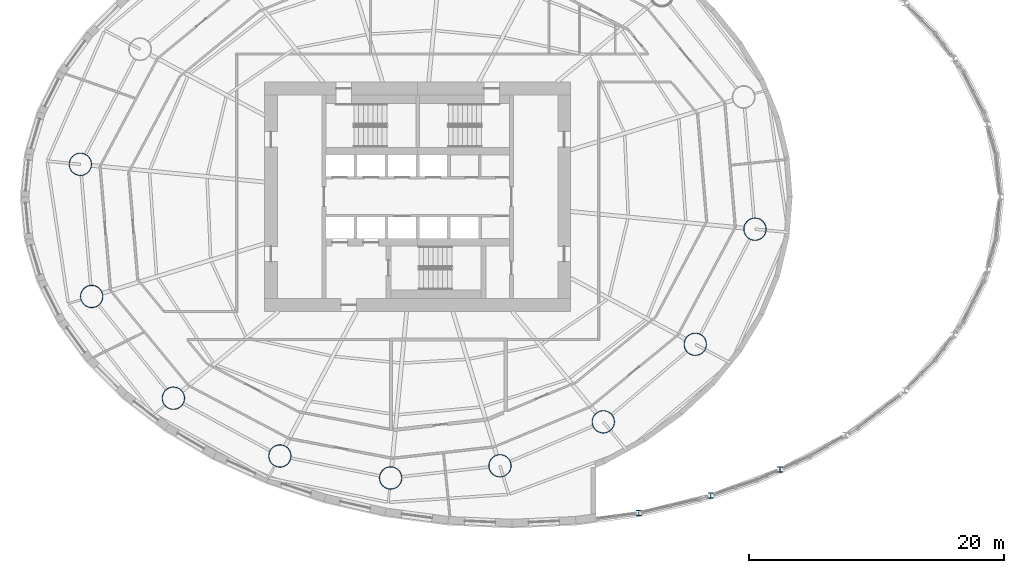
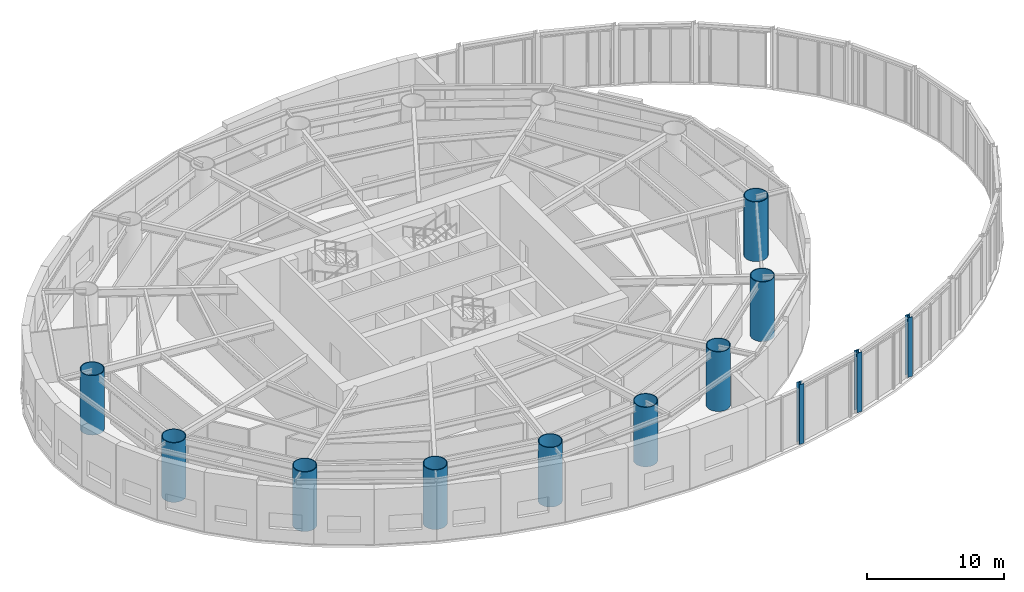
# One storey, part 1 of 19: 12 columns.
"""IFC4 building model written with IfcOpenShell, lengths in metres."""

import ifcopenshell
import ifcopenshell.guid

model = None  # the IFC model being written
_history = None  # IfcOwnerHistory: only IFC2X3 demands one
_inside = {}  # id of a spatial element -> (the spatial element, [elements in it])
_under = {}  # id of a project, library or spatial element -> (it, [spatial elements below it])
_declared = {}  # id of a project -> (the project, [libraries it declares])
_typed = {}  # id of a type object -> (the type object, [elements of that type])
_made_of = {}  # id of a material, layer set ... -> (it, [elements and type objects made of it])


def new_model(schema):
    """Start an empty IFC model of exactly this schema.

    Asked for "IFC4X3", IfcOpenShell would pick the latest addendum, in which some entities
    have other attributes; the version numbers below select the first issue.
    IFC2X3 requires an IfcOwnerHistory on every rooted entity: one is made here for all.
    """
    global model, _history
    if schema == "IFC4X3":
        model = ifcopenshell.file(schema_version=(4, 3, 0, 0))
    else:
        model = ifcopenshell.file(schema=schema)
    _inside.clear()
    _under.clear()
    _declared.clear()
    _typed.clear()
    _made_of.clear()
    _history = None
    if model.schema == "IFC2X3":
        org = make("IfcOrganization", Name="unknown")
        user = make(
            "IfcPersonAndOrganization",
            ThePerson=make("IfcPerson", FamilyName="unknown"),
            TheOrganization=org,
        )
        app = make(
            "IfcApplication",
            ApplicationDeveloper=org,
            Version="unknown",
            ApplicationFullName="unknown",
            ApplicationIdentifier="unknown",
        )
        _history = make(
            "IfcOwnerHistory",
            OwningUser=user,
            OwningApplication=app,
            ChangeAction="ADDED",
            CreationDate=0,
        )
    return model


def make(cls, **values):
    """One entity of the class cls with the attributes given. An attribute that is None is left unset."""
    return model.create_entity(
        cls, **{name: value for name, value in values.items() if value is not None}
    )


def rooted(cls, **values):
    """An entity with a GlobalId (a new one), such as an element, a storey or a relation."""
    return make(cls, GlobalId=ifcopenshell.guid.new(), OwnerHistory=_history, **values)


def si_unit(unit_type, name, prefix=None):
    """IfcSIUnit, for example si_unit("LENGTHUNIT", "METRE", prefix="MILLI")."""
    return make("IfcSIUnit", UnitType=unit_type, Prefix=prefix, Name=name)


def assignment(units):
    """IfcUnitAssignment: the units of a project."""
    return None if units is None else make("IfcUnitAssignment", Units=units)


def point(xyz):
    """IfcCartesianPoint."""
    return None if xyz is None else make("IfcCartesianPoint", Coordinates=xyz)


def direction(xyz):
    """IfcDirection."""
    return None if xyz is None else make("IfcDirection", DirectionRatios=xyz)


def frame(location, z_axis=None, x_axis=None):
    """IfcAxis2Placement3D, a coordinate frame: its origin and axes. An axis left out is left unset."""
    return make(
        "IfcAxis2Placement3D",
        Location=point(location),
        Axis=direction(z_axis),
        RefDirection=direction(x_axis),
    )


def frame_2d(location, x_axis=None):
    """IfcAxis2Placement2D, a coordinate frame in the plane: its origin and x axis."""
    return make(
        "IfcAxis2Placement2D", Location=point(location), RefDirection=direction(x_axis)
    )


def origin():
    """The frame at (0, 0, 0) with its axes left unset."""
    return frame((0.0, 0.0, 0.0))


def origin_2d():
    """The frame at (0, 0) in the plane with its x axis left unset."""
    return frame_2d((0.0, 0.0))


def place(relative_to, where):
    """IfcLocalPlacement: puts the frame where relative to a parent placement (None: the world)."""
    return make(
        "IfcLocalPlacement", PlacementRelTo=relative_to, RelativePlacement=where
    )


def context(
    kind, dimensions, precision=None, world=None, true_north=None, identifier=None
):
    """IfcGeometricRepresentationContext, for example the 3D "Model" context."""
    return make(
        "IfcGeometricRepresentationContext",
        ContextIdentifier=identifier,
        ContextType=kind,
        CoordinateSpaceDimension=dimensions,
        Precision=precision,
        WorldCoordinateSystem=world,
        TrueNorth=true_north,
    )


def subcontext(parent, identifier, kind, view, scale=None):
    """IfcGeometricRepresentationSubContext, for example "Body" below "Model"."""
    return make(
        "IfcGeometricRepresentationSubContext",
        ContextIdentifier=identifier,
        ContextType=kind,
        ParentContext=parent,
        TargetScale=scale,
        TargetView=view,
    )


def project(units=None, contexts=None):
    """IfcProject with its units and contexts."""
    return rooted(
        "IfcProject",
        Name="project",
        RepresentationContexts=contexts,
        UnitsInContext=assignment(units),
    )


def spatial(cls, under=None, at=None, **own):
    """A site, building, storey or space (cls), placed at a placement, below another one or the project."""
    s = rooted(cls, ObjectPlacement=at, **own)
    if under is not None:
        _under.setdefault(under.id(), (under, []))[1].append(s)
    return s


def profile(cls, at=None, kind="AREA", **sizes):
    """A parametric profile (cls). Its sizes go by their IFC names, for example OverallWidth=200.0."""
    return make(cls, ProfileType=kind, Position=at, **sizes)


def hollow_circle(**sizes):
    """IfcCircleHollowProfileDef."""
    return profile("IfcCircleHollowProfileDef", **sizes)


def i_section(**sizes):
    """IfcIShapeProfileDef."""
    return profile("IfcIShapeProfileDef", **sizes)


def extrude(swept, where, along, depth):
    """IfcExtrudedAreaSolid: the profile swept, set in the frame where, extruded along a direction by depth."""
    return make(
        "IfcExtrudedAreaSolid",
        SweptArea=swept,
        Position=where,
        ExtrudedDirection=direction(along),
        Depth=depth,
    )


def shape(context_of_items, identifier, shape_type, items):
    """IfcShapeRepresentation: the items that make up one representation, for example the "Body"."""
    return make(
        "IfcShapeRepresentation",
        ContextOfItems=context_of_items,
        RepresentationIdentifier=identifier,
        RepresentationType=shape_type,
        Items=items,
    )


def material(Name=None, Category=None):
    """IfcMaterial."""
    return make("IfcMaterial", Name=Name, Category=Category)


def material_profile(
    of_material, cross_section, Name=None, Category=None, Priority=None
):
    """IfcMaterialProfile: a cross section and its material."""
    return make(
        "IfcMaterialProfile",
        Name=Name,
        Material=of_material,
        Profile=cross_section,
        Priority=Priority,
        Category=Category,
    )


def profile_set(profiles, Name=None, composite=None):
    """IfcMaterialProfileSet."""
    return make(
        "IfcMaterialProfileSet",
        Name=Name,
        MaterialProfiles=profiles,
        CompositeProfile=composite,
    )


def made_of(thing, what):
    """Note that an element or type object is made of a material, layer set ...; save() writes the relation."""
    if what is not None:
        _made_of.setdefault(what.id(), (what, []))[1].append(thing)
    return thing


def type_object(cls, material=None, **own):
    """A type object (cls), such as IfcWallType, which elements share."""
    return made_of(rooted(cls, **own), material)


def element(
    cls,
    number,
    at=None,
    inside=None,
    cuts=None,
    type_object=None,
    material=None,
    context=None,
    identifier="Body",
    shape_type=None,
    held_by="IfcProductDefinitionShape",
    body=None,
    shapes=None,
    **own,
):
    """One element of the class cls, such as IfcWall. Its Tag is "e" and its number.

    at: its placement. inside: the storey or other place that contains it. cuts: it is an
    opening in that element (IfcRelVoidsElement). A single representation is given by context,
    identifier, shape_type and body (its items); several are given by shapes. held_by: the class
    of the entity that holds the representations. save() writes the other relations.
    """
    e = rooted(cls, Tag="e%d" % number, ObjectPlacement=at, **own)
    if body is not None:
        shapes = [shape(context, identifier, shape_type, body)]
    if shapes is not None:
        e.Representation = make(held_by, Representations=shapes)
    if inside is not None:
        _inside.setdefault(inside.id(), (inside, []))[1].append(e)
    if cuts is not None:
        rooted(
            "IfcRelVoidsElement", RelatingBuildingElement=cuts, RelatedOpeningElement=e
        )
    if type_object is not None:
        _typed.setdefault(type_object.id(), (type_object, []))[1].append(e)
    return made_of(e, material)


def aggregate(whole, parts):
    """IfcRelAggregates: a whole, such as a stair, and the parts it consists of."""
    return rooted("IfcRelAggregates", RelatingObject=whole, RelatedObjects=parts)


def save(model, path):
    """Write the relations noted so far, then the file.

    IfcRelAggregates (storeys below a building ...), IfcRelContainedInSpatialStructure (elements
    in a storey), IfcRelDefinesByType, IfcRelAssociatesMaterial and IfcRelDeclares: one each for
    every whole, place, type object, material and project.
    """
    for whole, parts in _under.values():
        aggregate(whole, parts)
    for where, things in _inside.values():
        rooted(
            "IfcRelContainedInSpatialStructure",
            RelatedElements=things,
            RelatingStructure=where,
        )
    for kind, things in _typed.values():
        rooted("IfcRelDefinesByType", RelatedObjects=things, RelatingType=kind)
    for what, things in _made_of.values():
        rooted("IfcRelAssociatesMaterial", RelatedObjects=things, RelatingMaterial=what)
    for by, libraries in _declared.values():
        rooted("IfcRelDeclares", RelatingContext=by, RelatedDefinitions=libraries)
    model.write(path)


model = new_model("IFC4")

# Units and contexts
model_context = context("Model", 3, precision=1e-05, world=origin(), true_north=direction((0.0, 1.0)))
body_context = subcontext(model_context, "Body", "Model", "MODEL_VIEW")
ifc_project = project(units=[si_unit("LENGTHUNIT", "METRE"), si_unit("AREAUNIT", "SQUARE_METRE"), si_unit("VOLUMEUNIT", "CUBIC_METRE"), si_unit("PLANEANGLEUNIT", "RADIAN"), si_unit("MASSUNIT", "GRAM", prefix="KILO")], contexts=[model_context])

# Site, building, storey
site_placement = place(None, origin())
site = spatial("IfcSite", under=ifc_project, at=site_placement, CompositionType="ELEMENT")
building_placement = place(site_placement, origin())
building = spatial("IfcBuilding", under=site, at=building_placement, Name="Vermilion Reach Broadcast Tower", CompositionType="ELEMENT")
storey_placement = place(building_placement, frame((0.0, 0.0, 26.0)))
storey = spatial("IfcBuildingStorey", under=building, at=storey_placement, Name="L03", CompositionType="ELEMENT", Elevation=26.0)

# Columns
ifc_material_1 = material(Name="Steel S460NL", Category="steel")
ifc_material_profile_1 = material_profile(ifc_material_1, i_section(OverallWidth=0.406982421875, OverallDepth=0.427978515625, WebThickness=0.02001953125, FlangeThickness=0.034912109375, at=origin_2d()), Name="S460NL HW 428x407x20x35")
ifc_profile_set_1 = profile_set([ifc_material_profile_1], Name="Steel S460NL")
column_type_1 = type_object("IfcColumnType", Name="AP HW 428x407x20x35", PredefinedType="COLUMN", material=ifc_profile_set_1)
for number, where, z_axis, x_axis, name in (
    (1, (11.337158203125, -24.81884765625, 0.0), (0.0, 0.0, 1.0), (1.0, 0.0, 0.0), "Atrium post AP01"),
    (2, (16.984619140625, -23.43505859375, 0.0), (0.0, 0.0, 1.0), (1.0, 0.0, 0.0), "Atrium post AP02"),
    (3, (22.43115234375, -21.408935546875, 0.0), (0.0, 0.0, 1.0), (1.0, 0.0, 0.0), "Atrium post AP03"),
):
    element("IfcColumn", number, at=place(storey_placement, frame(where, z_axis=z_axis, x_axis=x_axis)), inside=storey, type_object=column_type_1, Name=name, PredefinedType="COLUMN", context=body_context, shape_type="SweptSolid", body=[
        extrude(i_section(OverallWidth=0.406982421875, OverallDepth=0.427978515625, WebThickness=0.02001953125, FlangeThickness=0.034912109375, at=origin_2d()), origin(), (0.0, 0.0, 1.0), 5.300048828125),
    ])
ifc_material_2 = material(Name="Concrete C80 infill in steel S460NL tube", Category="concrete")
ifc_material_profile_2 = material_profile(ifc_material_2, hollow_circle(Radius=0.89990234375, WallThickness=0.06005859375, at=origin_2d()), Name="Concrete C80 infill in steel S460NL tube CFT 1800x60")
ifc_profile_set_2 = profile_set([ifc_material_profile_2], Name="Concrete C80 infill in steel S460NL tube")
column_type_2 = type_object("IfcColumnType", Name="MC1 CFT 1800x60", PredefinedType="COLUMN", material=ifc_profile_set_2)
for number, where, z_axis, x_axis, name in (
    (4, (-32.464111328125, 2.54345703125, 0.0), (0.0, 0.0, 1.0), (1.0, 0.0, 0.0), "Mega-column MC1-08"),
    (5, (-31.575439453125, -7.823974609375, 0.0), (0.0, 0.0, 1.0), (1.0, 0.0, 0.0), "Mega-column MC1-09"),
    (6, (-25.166259765625, -15.804931640625, 0.0), (0.0, 0.0, 1.0), (1.0, 0.0, 0.0), "Mega-column MC1-10"),
    (7, (-16.809814453125, -20.3388671875, 0.0), (0.0, 0.0, 1.0), (1.0, 0.0, 0.0), "Mega-column MC1-11"),
    (8, (-8.12060546875, -22.06396484375, 0.0), (0.0, 0.0, 1.0), (1.0, 0.0, 0.0), "Mega-column MC1-12"),
    (9, (0.45751953125, -21.108154296875, 0.0), (0.0, 0.0, 1.0), (1.0, 0.0, 0.0), "Mega-column MC1-13"),
    (10, (8.563232421875, -17.660400390625, 0.0), (0.0, 0.0, 1.0), (1.0, 0.0, 0.0), "Mega-column MC1-14"),
    (11, (15.77978515625, -11.57568359375, 0.0), (0.0, 0.0, 1.0), (1.0, 0.0, 0.0), "Mega-column MC1-15"),
    (12, (20.464111328125, -2.54345703125, 0.0), (0.0, 0.0, 1.0), (1.0, 0.0, 0.0), "Mega-column MC1-16"),
):
    element("IfcColumn", number, at=place(storey_placement, frame(where, z_axis=z_axis, x_axis=x_axis)), inside=storey, type_object=column_type_2, Name=name, PredefinedType="COLUMN", context=body_context, shape_type="SweptSolid", body=[
        extrude(hollow_circle(Radius=0.89990234375, WallThickness=0.06005859375, at=origin_2d()), origin(), (0.0, 0.0, 1.0), 5.300048828125),
    ])

save(model, "model.ifc")
